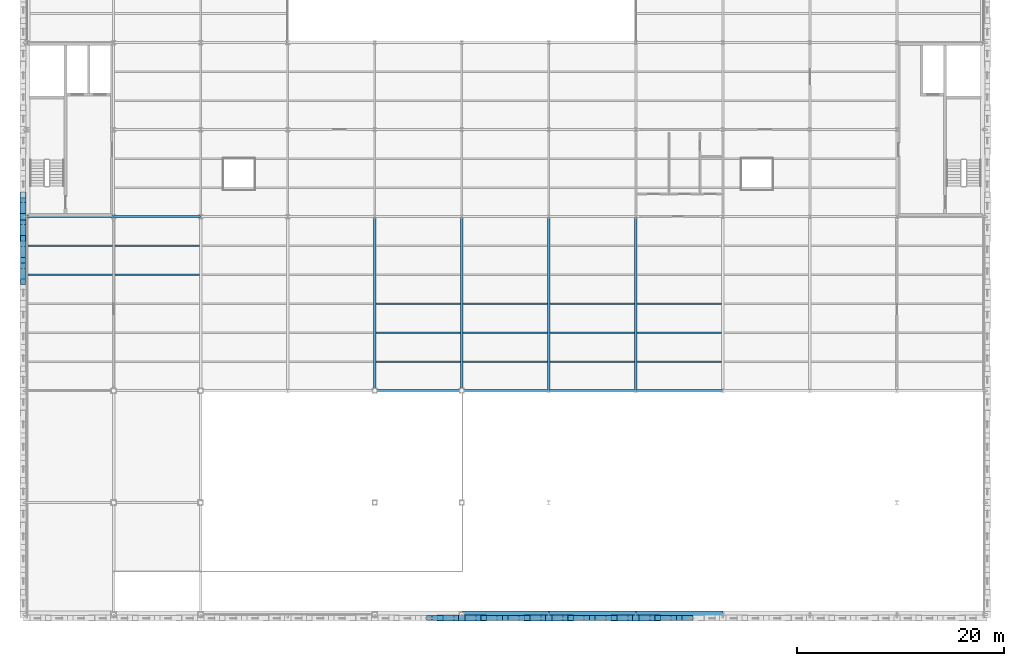
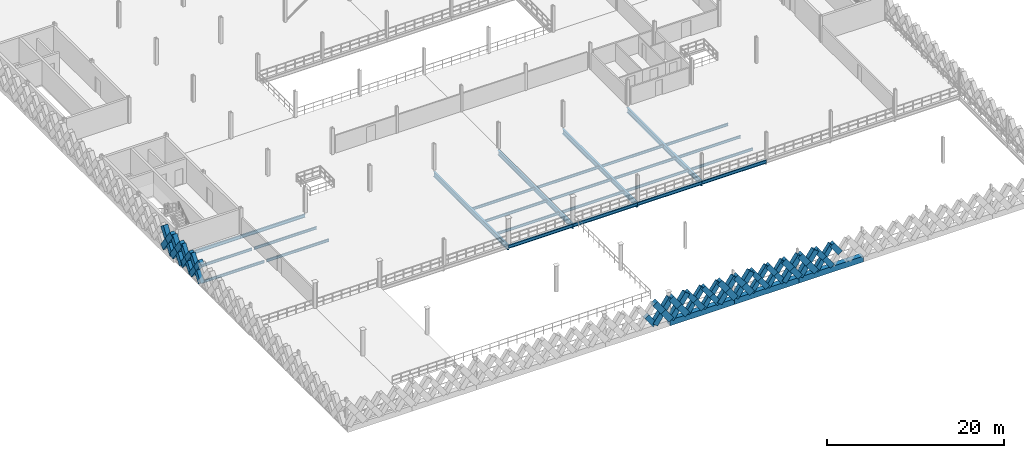
# One storey, part 15 of 47: 47 members, 29 beams.
"""IFC4 building model written with IfcOpenShell, lengths in metres."""

from ifc_helpers import new_model, si_unit, direction, frame, origin, origin_2d, place, context, subcontext, project, spatial, rectangle, i_section, extrude, material, material_profile, profile_set, type_object, element, save


model = new_model("IFC4")

# Units and contexts
model_context = context("Model", 3, precision=1e-05, world=origin(), true_north=direction((0.0, 1.0)))
body_context = subcontext(model_context, "Body", "Model", "MODEL_VIEW")
ifc_project = project(units=[si_unit("LENGTHUNIT", "METRE"), si_unit("AREAUNIT", "SQUARE_METRE"), si_unit("VOLUMEUNIT", "CUBIC_METRE"), si_unit("PLANEANGLEUNIT", "RADIAN"), si_unit("MASSUNIT", "GRAM", prefix="KILO"), si_unit("THERMODYNAMICTEMPERATUREUNIT", "KELVIN"), si_unit("POWERUNIT", "WATT")], contexts=[model_context])

# Site, building, storey
site_placement = place(None, origin())
site = spatial("IfcSite", under=ifc_project, at=site_placement, CompositionType="ELEMENT")
building_placement = place(site_placement, origin())
building = spatial("IfcBuilding", under=site, at=building_placement, Name="Tembeka Court Mobility Hub", CompositionType="ELEMENT")
storey_placement = place(building_placement, frame((0.0, 0.0, 19.800048828125)))
storey = spatial("IfcBuildingStorey", under=building, at=storey_placement, Name="L05", CompositionType="ELEMENT", Elevation=19.800048828125)

# Beams
ifc_material_1 = material(Name="Steel S355", Category="steel")
ifc_material_profile_1 = material_profile(ifc_material_1, i_section(OverallWidth=0.18994140625, OverallDepth=0.45703125, WebThickness=0.009033203125, FlangeThickness=0.014404296875, FilletRadius=0.01025390625, at=origin_2d()), Name="UKB 457x191x74")
ifc_profile_set_1 = profile_set([ifc_material_profile_1], Name="Steel S355")
beam_type_1 = type_object("IfcBeamType", Name="BM-B01", PredefinedType="BEAM", material=ifc_profile_set_1)
for number, where, z_axis, x_axis, name in (
    (1, (33.60009765625, 21.60009765625, -0.448486328125), (1.0, 0.0, 0.0), (0.0, 1.0, 0.0), "Beam B01 (BM-L05-X2681)"),
    (2, (42.0, 21.60009765625, -0.448486328125), (1.0, 0.0, 0.0), (0.0, 1.0, 0.0), "Beam B01 (BM-L05-X2682)"),
):
    element("IfcBeam", number, at=place(storey_placement, frame(where, z_axis=z_axis, x_axis=x_axis)), inside=storey, type_object=beam_type_1, Name=name, PredefinedType="BEAM", context=body_context, shape_type="SweptSolid", body=[
        extrude(i_section(OverallWidth=0.18994140625, OverallDepth=0.45703125, WebThickness=0.009033203125, FlangeThickness=0.014404296875, FilletRadius=0.01025390625, at=origin_2d()), origin(), (0.0, 0.0, 1.0), 8.39990234375),
    ])
beam_1_placement = place(storey_placement, frame((50.39990234375, 21.60009765625, -0.448486328125), z_axis=(1.0, 0.0, 0.0), x_axis=(0.0, 1.0, 0.0)))
element("IfcBeam", 3, at=beam_1_placement, inside=storey, type_object=beam_type_1, Name="Beam B01 (BM-L05-X2683)", PredefinedType="BEAM", context=body_context, shape_type="SweptSolid", body=[
    extrude(i_section(OverallWidth=0.18994140625, OverallDepth=0.45703125, WebThickness=0.009033203125, FlangeThickness=0.014404296875, FilletRadius=0.01025390625, at=origin_2d()), origin(), (0.0, 0.0, 1.0), 8.400146484375),
])
for number, where, z_axis, x_axis, name in (
    (4, (58.800048828125, 21.60009765625, -0.448486328125), (1.0, 0.0, 0.0), (0.0, 1.0, 0.0), "Beam B01 (BM-L05-X2684)"),
    (5, (0.0, 38.39990234375, -0.448486328125), (1.0, 0.0, 0.0), (0.0, 1.0, 0.0), "Beam B01 (BM-L05-X2691)"),
):
    element("IfcBeam", number, at=place(storey_placement, frame(where, z_axis=z_axis, x_axis=x_axis)), inside=storey, type_object=beam_type_1, Name=name, PredefinedType="BEAM", context=body_context, shape_type="SweptSolid", body=[
        extrude(i_section(OverallWidth=0.18994140625, OverallDepth=0.45703125, WebThickness=0.009033203125, FlangeThickness=0.014404296875, FilletRadius=0.01025390625, at=origin_2d()), origin(), (0.0, 0.0, 1.0), 8.39990234375),
    ])
beam_2_placement = place(storey_placement, frame((8.39990234375, 38.39990234375, -0.448486328125), z_axis=(1.0, 0.0, 0.0), x_axis=(0.0, 1.0, 0.0)))
element("IfcBeam", 6, at=beam_2_placement, inside=storey, type_object=beam_type_1, Name="Beam B01 (BM-L05-X2692)", PredefinedType="BEAM", context=body_context, shape_type="SweptSolid", body=[
    extrude(i_section(OverallWidth=0.18994140625, OverallDepth=0.45703125, WebThickness=0.009033203125, FlangeThickness=0.014404296875, FilletRadius=0.01025390625, at=origin_2d()), origin(), (0.0, 0.0, 1.0), 8.400146484375),
])
ifc_material_profile_2 = material_profile(ifc_material_1, i_section(OverallWidth=0.25390625, OverallDepth=0.68408203125, WebThickness=0.012451171875, FlangeThickness=0.01904296875, FilletRadius=0.01513671875, at=origin_2d()), Name="UKB 686x254x140")
ifc_profile_set_2 = profile_set([ifc_material_profile_2], Name="Steel S355")
beam_type_2 = type_object("IfcBeamType", Name="BM-G01", PredefinedType="USERDEFINED", material=ifc_profile_set_2)
for number, where, z_axis, x_axis, name in (
    (7, (33.60009765625, 21.60009765625, -0.56201171875), (0.0, 1.0, 0.0), (-1.0, 0.0, 0.0), "Beam G01 (BM-L05-Y2816)"),
    (8, (42.0, 21.60009765625, -0.56201171875), (0.0, 1.0, 0.0), (-1.0, 0.0, 0.0), "Beam G01 (BM-L05-Y2822)"),
    (9, (50.39990234375, 21.60009765625, -0.56201171875), (0.0, 1.0, 0.0), (-1.0, 0.0, 0.0), "Beam G01 (BM-L05-Y2828)"),
    (10, (58.800048828125, 21.60009765625, -0.56201171875), (0.0, 1.0, 0.0), (-1.0, 0.0, 0.0), "Beam G01 (BM-L05-Y2834)"),
):
    element("IfcBeam", number, at=place(storey_placement, frame(where, z_axis=z_axis, x_axis=x_axis)), inside=storey, type_object=beam_type_2, Name=name, ObjectType="GIRDER", PredefinedType="USERDEFINED", context=body_context, shape_type="SweptSolid", body=[
        extrude(i_section(OverallWidth=0.25390625, OverallDepth=0.68408203125, WebThickness=0.012451171875, FlangeThickness=0.01904296875, FilletRadius=0.01513671875, at=origin_2d()), origin(), (0.0, 0.0, 1.0), 16.7998046875),
    ])
ifc_material_profile_3 = material_profile(ifc_material_1, i_section(OverallWidth=0.172119140625, OverallDepth=0.35498046875, WebThickness=0.00732421875, FlangeThickness=0.011474609375, FilletRadius=0.01025390625, at=origin_2d()), Name="UKB 356x171x51")
ifc_profile_set_3 = profile_set([ifc_material_profile_3], Name="Steel S355")
beam_type_3 = type_object("IfcBeamType", Name="BM-J01", PredefinedType="JOIST", material=ifc_profile_set_3)
for number, where, z_axis, x_axis, name in (
    (11, (0.1220703125, 32.800048828125, -0.3974609375), (1.0, 0.0, 0.0), (0.0, 1.0, 0.0), "Beam J01 (JST-L05-2884)"),
    (12, (0.1220703125, 35.60009765625, -0.3974609375), (1.0, 0.0, 0.0), (0.0, 1.0, 0.0), "Beam J01 (JST-L05-2885)"),
    (13, (8.52197265625, 32.800048828125, -0.3974609375), (1.0, 0.0, 0.0), (0.0, 1.0, 0.0), "Beam J01 (JST-L05-2896)"),
    (14, (8.52197265625, 35.60009765625, -0.3974609375), (1.0, 0.0, 0.0), (0.0, 1.0, 0.0), "Beam J01 (JST-L05-2897)"),
    (15, (33.721923828125, 24.39990234375, -0.3974609375), (1.0, 0.0, 0.0), (0.0, 1.0, 0.0), "Beam J01 (JST-L05-2951)"),
    (16, (33.721923828125, 27.199951171875, -0.3974609375), (1.0, 0.0, 0.0), (0.0, 1.0, 0.0), "Beam J01 (JST-L05-2952)"),
    (17, (33.721923828125, 30.0, -0.3974609375), (1.0, 0.0, 0.0), (0.0, 1.0, 0.0), "Beam J01 (JST-L05-2953)"),
    (18, (42.1220703125, 24.39990234375, -0.3974609375), (1.0, 0.0, 0.0), (0.0, 1.0, 0.0), "Beam J01 (JST-L05-2969)"),
    (19, (42.1220703125, 27.199951171875, -0.3974609375), (1.0, 0.0, 0.0), (0.0, 1.0, 0.0), "Beam J01 (JST-L05-2970)"),
    (20, (42.1220703125, 30.0, -0.3974609375), (1.0, 0.0, 0.0), (0.0, 1.0, 0.0), "Beam J01 (JST-L05-2971)"),
    (21, (50.52197265625, 24.39990234375, -0.3974609375), (1.0, 0.0, 0.0), (0.0, 1.0, 0.0), "Beam J01 (JST-L05-2987)"),
    (22, (50.52197265625, 27.199951171875, -0.3974609375), (1.0, 0.0, 0.0), (0.0, 1.0, 0.0), "Beam J01 (JST-L05-2988)"),
    (23, (50.52197265625, 30.0, -0.3974609375), (1.0, 0.0, 0.0), (0.0, 1.0, 0.0), "Beam J01 (JST-L05-2989)"),
):
    element("IfcBeam", number, at=place(storey_placement, frame(where, z_axis=z_axis, x_axis=x_axis)), inside=storey, type_object=beam_type_3, Name=name, PredefinedType="JOIST", context=body_context, shape_type="SweptSolid", body=[
        extrude(i_section(OverallWidth=0.172119140625, OverallDepth=0.35498046875, WebThickness=0.00732421875, FlangeThickness=0.011474609375, FilletRadius=0.01025390625, at=origin_2d()), origin(), (0.0, 0.0, 1.0), 8.156005859375),
    ])
for number, where, z_axis, x_axis, name in (
    (24, (58.922119140625, 24.39990234375, -0.3974609375), (1.0, 0.0, 0.0), (0.0, 1.0, 0.0), "Beam J01 (JST-L05-3005)"),
    (25, (58.922119140625, 27.199951171875, -0.3974609375), (1.0, 0.0, 0.0), (0.0, 1.0, 0.0), "Beam J01 (JST-L05-3006)"),
    (26, (58.922119140625, 30.0, -0.3974609375), (1.0, 0.0, 0.0), (0.0, 1.0, 0.0), "Beam J01 (JST-L05-3007)"),
):
    element("IfcBeam", number, at=place(storey_placement, frame(where, z_axis=z_axis, x_axis=x_axis)), inside=storey, type_object=beam_type_3, Name=name, PredefinedType="JOIST", context=body_context, shape_type="SweptSolid", body=[
        extrude(i_section(OverallWidth=0.172119140625, OverallDepth=0.35498046875, WebThickness=0.00732421875, FlangeThickness=0.011474609375, FilletRadius=0.01025390625, at=origin_2d()), origin(), (0.0, 0.0, 1.0), 8.15576171875),
    ])
ifc_material_2 = material(Name="Precast concrete C45/55", Category="concrete")
ifc_material_profile_4 = material_profile(ifc_material_2, rectangle(XDim=0.64990234375, YDim=0.800048828125, at=origin_2d()), Name="PC-SP 650x800")
ifc_profile_set_4 = profile_set([ifc_material_profile_4], Name="Precast concrete C45/55")
beam_type_4 = type_object("IfcBeamType", Name="BM-SP01", PredefinedType="SPANDREL", material=ifc_profile_set_4)
beam_3_placement = place(storey_placement, frame((42.0, 0.0, -0.6201171875), z_axis=(1.0, 0.0, 0.0), x_axis=(0.0, 1.0, 0.0)))
element("IfcBeam", 27, at=beam_3_placement, inside=storey, type_object=beam_type_4, Name="Beam SP01 (BM-L05-X2663)", PredefinedType="SPANDREL", context=body_context, shape_type="SweptSolid", body=[
    extrude(rectangle(XDim=0.64990234375, YDim=0.800048828125, at=origin_2d()), origin(), (0.0, 0.0, 1.0), 8.39990234375),
])
beam_4_placement = place(storey_placement, frame((50.39990234375, 0.0, -0.6201171875), z_axis=(1.0, 0.0, 0.0), x_axis=(0.0, 1.0, 0.0)))
element("IfcBeam", 28, at=beam_4_placement, inside=storey, type_object=beam_type_4, Name="Beam SP01 (BM-L05-X2664)", PredefinedType="SPANDREL", context=body_context, shape_type="SweptSolid", body=[
    extrude(rectangle(XDim=0.64990234375, YDim=0.800048828125, at=origin_2d()), origin(), (0.0, 0.0, 1.0), 8.400146484375),
])
beam_5_placement = place(storey_placement, frame((58.800048828125, 0.0, -0.6201171875), z_axis=(1.0, 0.0, 0.0), x_axis=(0.0, 1.0, 0.0)))
element("IfcBeam", 29, at=beam_5_placement, inside=storey, type_object=beam_type_4, Name="Beam SP01 (BM-L05-X2665)", PredefinedType="SPANDREL", context=body_context, shape_type="SweptSolid", body=[
    extrude(rectangle(XDim=0.64990234375, YDim=0.800048828125, at=origin_2d()), origin(), (0.0, 0.0, 1.0), 8.39990234375),
])

# Members
ifc_material_profile_5 = material_profile(ifc_material_2, rectangle(XDim=0.5, YDim=0.64990234375, at=origin_2d()), Name="PC-DIAG 500x650")
ifc_profile_set_5 = profile_set([ifc_material_profile_5], Name="Precast concrete C45/55")
member_type_1 = type_object("IfcMemberType", Name="MEM-DL01", PredefinedType="BRACE", material=ifc_profile_set_5)
member_1_placement = place(storey_placement, frame((39.89990234375, -0.340087890625, 0.02001953125), z_axis=(-0.582518941428, 0.0, 0.812817127574), x_axis=(0.0, -1.0, 0.0)))
element("IfcMember", 30, at=member_1_placement, inside=storey, type_object=member_type_1, Name="Precast diamond lattice split lower strand DL01 (L05-807B1)", PredefinedType="BRACE", context=body_context, shape_type="SweptSolid", body=[
    extrude(rectangle(XDim=0.5, YDim=0.64990234375, at=origin_2d()), origin(), (0.0, 0.0, 1.0), 1.80224609375),
])
member_2_placement = place(storey_placement, frame((44.10009765625, -0.340087890625, 0.02001953125), z_axis=(0.58253161945, 0.0, 0.812808041509), x_axis=(0.0, 1.0, 0.0)))
element("IfcMember", 31, at=member_2_placement, inside=storey, type_object=member_type_1, Name="Precast diamond lattice continuous strand DL01 (L05-810A)", PredefinedType="BRACE", context=body_context, shape_type="SweptSolid", body=[
    extrude(rectangle(XDim=0.5, YDim=0.64990234375, at=origin_2d()), origin(), (0.0, 0.0, 1.0), 3.604736328125),
])
member_3_placement = place(storey_placement, frame((46.199951171875, -0.340087890625, 0.02001953125), z_axis=(-0.582608431711, 0.0, 0.812752985414), x_axis=(0.0, -1.0, 0.0)))
element("IfcMember", 32, at=member_3_placement, inside=storey, type_object=member_type_1, Name="Precast diamond lattice split lower strand DL01 (L05-810B1)", PredefinedType="BRACE", context=body_context, shape_type="SweptSolid", body=[
    extrude(rectangle(XDim=0.5, YDim=0.64990234375, at=origin_2d()), origin(), (0.0, 0.0, 1.0), 1.80224609375),
])
member_4_placement = place(storey_placement, frame((45.14990234375, -0.340087890625, 1.48486328125), z_axis=(-0.582454804382, 0.0, 0.812863088627), x_axis=(0.0, -1.0, 0.0)))
element("IfcMember", 33, at=member_4_placement, inside=storey, type_object=member_type_1, Name="Precast diamond lattice split upper strand DL01 (L05-810B2)", PredefinedType="BRACE", context=body_context, shape_type="SweptSolid", body=[
    extrude(rectangle(XDim=0.5, YDim=0.64990234375, at=origin_2d()), origin(), (0.0, 0.0, 1.0), 1.802490234375),
])
member_5_placement = place(storey_placement, frame((46.199951171875, -0.340087890625, 0.02001953125), z_axis=(0.582576362011, 0.0, 0.812775973086), x_axis=(0.0, 1.0, 0.0)))
element("IfcMember", 34, at=member_5_placement, inside=storey, type_object=member_type_1, Name="Precast diamond lattice continuous strand DL01 (L05-811A)", PredefinedType="BRACE", context=body_context, shape_type="SweptSolid", body=[
    extrude(rectangle(XDim=0.5, YDim=0.64990234375, at=origin_2d()), origin(), (0.0, 0.0, 1.0), 3.604736328125),
])
member_6_placement = place(storey_placement, frame((48.300048828125, -0.340087890625, 0.02001953125), z_axis=(-0.582608431711, 0.0, 0.812752985414), x_axis=(0.0, -1.0, 0.0)))
element("IfcMember", 35, at=member_6_placement, inside=storey, type_object=member_type_1, Name="Precast diamond lattice split lower strand DL01 (L05-811B1)", PredefinedType="BRACE", context=body_context, shape_type="SweptSolid", body=[
    extrude(rectangle(XDim=0.5, YDim=0.64990234375, at=origin_2d()), origin(), (0.0, 0.0, 1.0), 1.80224609375),
])
member_7_placement = place(storey_placement, frame((47.25, -0.340087890625, 1.48486328125), z_axis=(-0.582544294934, 0.0, 0.812798956963), x_axis=(0.0, -1.0, 0.0)))
element("IfcMember", 36, at=member_7_placement, inside=storey, type_object=member_type_1, Name="Precast diamond lattice split upper strand DL01 (L05-811B2)", PredefinedType="BRACE", context=body_context, shape_type="SweptSolid", body=[
    extrude(rectangle(XDim=0.5, YDim=0.64990234375, at=origin_2d()), origin(), (0.0, 0.0, 1.0), 1.802490234375),
])
member_8_placement = place(storey_placement, frame((52.5, -0.340087890625, 0.02001953125), z_axis=(0.582576362011, 0.0, 0.812775973086), x_axis=(0.0, 1.0, 0.0)))
element("IfcMember", 37, at=member_8_placement, inside=storey, type_object=member_type_1, Name="Precast diamond lattice continuous strand DL01 (L05-814A)", PredefinedType="BRACE", context=body_context, shape_type="SweptSolid", body=[
    extrude(rectangle(XDim=0.5, YDim=0.64990234375, at=origin_2d()), origin(), (0.0, 0.0, 1.0), 3.604736328125),
])
member_9_placement = place(storey_placement, frame((54.60009765625, -0.340087890625, 0.02001953125), z_axis=(-0.582608431711, 0.0, 0.812752985414), x_axis=(0.0, -1.0, 0.0)))
element("IfcMember", 38, at=member_9_placement, inside=storey, type_object=member_type_1, Name="Precast diamond lattice split lower strand DL01 (L05-814B1)", PredefinedType="BRACE", context=body_context, shape_type="SweptSolid", body=[
    extrude(rectangle(XDim=0.5, YDim=0.64990234375, at=origin_2d()), origin(), (0.0, 0.0, 1.0), 1.80224609375),
])
member_10_placement = place(storey_placement, frame((53.550048828125, -0.340087890625, 1.48486328125), z_axis=(-0.582544294934, 0.0, 0.812798956963), x_axis=(0.0, -1.0, 0.0)))
element("IfcMember", 39, at=member_10_placement, inside=storey, type_object=member_type_1, Name="Precast diamond lattice split upper strand DL01 (L05-814B2)", PredefinedType="BRACE", context=body_context, shape_type="SweptSolid", body=[
    extrude(rectangle(XDim=0.5, YDim=0.64990234375, at=origin_2d()), origin(), (0.0, 0.0, 1.0), 1.802490234375),
])
member_11_placement = place(storey_placement, frame((54.60009765625, -0.340087890625, 0.02001953125), z_axis=(0.58253161945, 0.0, 0.812808041509), x_axis=(0.0, 1.0, 0.0)))
element("IfcMember", 40, at=member_11_placement, inside=storey, type_object=member_type_1, Name="Precast diamond lattice continuous strand DL01 (L05-815A)", PredefinedType="BRACE", context=body_context, shape_type="SweptSolid", body=[
    extrude(rectangle(XDim=0.5, YDim=0.64990234375, at=origin_2d()), origin(), (0.0, 0.0, 1.0), 3.604736328125),
])
member_12_placement = place(storey_placement, frame((56.699951171875, -0.340087890625, 0.02001953125), z_axis=(-0.582608431711, 0.0, 0.812752985414), x_axis=(0.0, -1.0, 0.0)))
element("IfcMember", 41, at=member_12_placement, inside=storey, type_object=member_type_1, Name="Precast diamond lattice split lower strand DL01 (L05-815B1)", PredefinedType="BRACE", context=body_context, shape_type="SweptSolid", body=[
    extrude(rectangle(XDim=0.5, YDim=0.64990234375, at=origin_2d()), origin(), (0.0, 0.0, 1.0), 1.80224609375),
])
member_13_placement = place(storey_placement, frame((55.64990234375, -0.340087890625, 1.48486328125), z_axis=(-0.582454804382, 0.0, 0.812863088627), x_axis=(0.0, -1.0, 0.0)))
element("IfcMember", 42, at=member_13_placement, inside=storey, type_object=member_type_1, Name="Precast diamond lattice split upper strand DL01 (L05-815B2)", PredefinedType="BRACE", context=body_context, shape_type="SweptSolid", body=[
    extrude(rectangle(XDim=0.5, YDim=0.64990234375, at=origin_2d()), origin(), (0.0, 0.0, 1.0), 1.802490234375),
])
member_14_placement = place(storey_placement, frame((60.89990234375, -0.340087890625, 0.02001953125), z_axis=(0.582576362011, 0.0, 0.812775973086), x_axis=(0.0, 1.0, 0.0)))
element("IfcMember", 43, at=member_14_placement, inside=storey, type_object=member_type_1, Name="Precast diamond lattice continuous strand DL01 (L05-818A)", PredefinedType="BRACE", context=body_context, shape_type="SweptSolid", body=[
    extrude(rectangle(XDim=0.5, YDim=0.64990234375, at=origin_2d()), origin(), (0.0, 0.0, 1.0), 3.604736328125),
])
member_15_placement = place(storey_placement, frame((63.0, -0.340087890625, 0.02001953125), z_axis=(-0.582608431711, 0.0, 0.812752985414), x_axis=(0.0, -1.0, 0.0)))
element("IfcMember", 44, at=member_15_placement, inside=storey, type_object=member_type_1, Name="Precast diamond lattice split lower strand DL01 (L05-818B1)", PredefinedType="BRACE", context=body_context, shape_type="SweptSolid", body=[
    extrude(rectangle(XDim=0.5, YDim=0.64990234375, at=origin_2d()), origin(), (0.0, 0.0, 1.0), 1.80224609375),
])
for number, where, z_axis, x_axis, name in (
    (45, (61.949951171875, -0.340087890625, 1.48486328125), (-0.582544294934, 0.0, 0.812798956963), (0.0, -1.0, 0.0), "Precast diamond lattice split upper strand DL01 (L05-818B2)"),
    (46, (64.050048828125, -0.340087890625, 1.48486328125), (-0.582544294934, 0.0, 0.812798956963), (0.0, -1.0, 0.0), "Precast diamond lattice split upper strand DL01 (L05-819B2)"),
):
    element("IfcMember", number, at=place(storey_placement, frame(where, z_axis=z_axis, x_axis=x_axis)), inside=storey, type_object=member_type_1, Name=name, PredefinedType="BRACE", context=body_context, shape_type="SweptSolid", body=[
        extrude(rectangle(XDim=0.5, YDim=0.64990234375, at=origin_2d()), origin(), (0.0, 0.0, 1.0), 1.802490234375),
    ])
member_16_placement = place(storey_placement, frame((-0.340087890625, 32.10009765625, 0.02001953125), z_axis=(0.0, 0.58253161945, 0.812808041509), x_axis=(-1.0, 0.0, 0.0)))
element("IfcMember", 47, at=member_16_placement, inside=storey, type_object=member_type_1, Name="Precast diamond lattice continuous strand DL01 (L05-892C)", PredefinedType="BRACE", context=body_context, shape_type="SweptSolid", body=[
    extrude(rectangle(XDim=0.5, YDim=0.64990234375, at=origin_2d()), origin(), (0.0, 0.0, 1.0), 3.604736328125),
])
member_17_placement = place(storey_placement, frame((-0.340087890625, 34.199951171875, 0.02001953125), z_axis=(0.0, -0.582608431711, 0.812752985414), x_axis=(1.0, 0.0, 0.0)))
element("IfcMember", 48, at=member_17_placement, inside=storey, type_object=member_type_1, Name="Precast diamond lattice split lower strand DL01 (L05-892D1)", PredefinedType="BRACE", context=body_context, shape_type="SweptSolid", body=[
    extrude(rectangle(XDim=0.5, YDim=0.64990234375, at=origin_2d()), origin(), (0.0, 0.0, 1.0), 1.80224609375),
])
member_18_placement = place(storey_placement, frame((-0.340087890625, 33.14990234375, 1.48486328125), z_axis=(0.0, -0.582454804382, 0.812863088627), x_axis=(1.0, 0.0, 0.0)))
element("IfcMember", 49, at=member_18_placement, inside=storey, type_object=member_type_1, Name="Precast diamond lattice split upper strand DL01 (L05-892D2)", PredefinedType="BRACE", context=body_context, shape_type="SweptSolid", body=[
    extrude(rectangle(XDim=0.5, YDim=0.64990234375, at=origin_2d()), origin(), (0.0, 0.0, 1.0), 1.802490234375),
])
member_19_placement = place(storey_placement, frame((-0.340087890625, 34.199951171875, 0.02001953125), z_axis=(0.0, 0.582576362011, 0.812775973086), x_axis=(-1.0, 0.0, 0.0)))
element("IfcMember", 50, at=member_19_placement, inside=storey, type_object=member_type_1, Name="Precast diamond lattice continuous strand DL01 (L05-893C)", PredefinedType="BRACE", context=body_context, shape_type="SweptSolid", body=[
    extrude(rectangle(XDim=0.5, YDim=0.64990234375, at=origin_2d()), origin(), (0.0, 0.0, 1.0), 3.604736328125),
])
member_20_placement = place(storey_placement, frame((-0.340087890625, 36.300048828125, 0.02001953125), z_axis=(0.0, -0.582608431711, 0.812752985414), x_axis=(1.0, 0.0, 0.0)))
element("IfcMember", 51, at=member_20_placement, inside=storey, type_object=member_type_1, Name="Precast diamond lattice split lower strand DL01 (L05-893D1)", PredefinedType="BRACE", context=body_context, shape_type="SweptSolid", body=[
    extrude(rectangle(XDim=0.5, YDim=0.64990234375, at=origin_2d()), origin(), (0.0, 0.0, 1.0), 1.80224609375),
])
member_21_placement = place(storey_placement, frame((-0.340087890625, 35.25, 1.48486328125), z_axis=(0.0, -0.582544294934, 0.812798956963), x_axis=(1.0, 0.0, 0.0)))
element("IfcMember", 52, at=member_21_placement, inside=storey, type_object=member_type_1, Name="Precast diamond lattice split upper strand DL01 (L05-893D2)", PredefinedType="BRACE", context=body_context, shape_type="SweptSolid", body=[
    extrude(rectangle(XDim=0.5, YDim=0.64990234375, at=origin_2d()), origin(), (0.0, 0.0, 1.0), 1.802490234375),
])
ifc_material_profile_6 = material_profile(ifc_material_2, rectangle(XDim=0.60009765625, YDim=0.75, at=origin_2d()), Name="PC-DIAG 600x750")
ifc_profile_set_6 = profile_set([ifc_material_profile_6], Name="Precast concrete C45/55")
member_type_2 = type_object("IfcMemberType", Name="MEM-DL02", PredefinedType="BRACE", material=ifc_profile_set_6)
member_22_placement = place(storey_placement, frame((39.89990234375, -0.340087890625, 0.02001953125), z_axis=(0.582576362011, 0.0, 0.812775973086), x_axis=(0.0, 1.0, 0.0)))
element("IfcMember", 53, at=member_22_placement, inside=storey, type_object=member_type_2, Name="Precast diamond lattice continuous strand DL02 (L05-808A)", PredefinedType="BRACE", context=body_context, shape_type="SweptSolid", body=[
    extrude(rectangle(XDim=0.60009765625, YDim=0.75, at=origin_2d()), origin(), (0.0, 0.0, 1.0), 3.604736328125),
])
member_23_placement = place(storey_placement, frame((42.0, -0.340087890625, 0.02001953125), z_axis=(-0.582608431711, 0.0, 0.812752985414), x_axis=(0.0, -1.0, 0.0)))
element("IfcMember", 54, at=member_23_placement, inside=storey, type_object=member_type_2, Name="Precast diamond lattice split lower strand DL02 (L05-808B1)", PredefinedType="BRACE", context=body_context, shape_type="SweptSolid", body=[
    extrude(rectangle(XDim=0.60009765625, YDim=0.75, at=origin_2d()), origin(), (0.0, 0.0, 1.0), 1.80224609375),
])
member_24_placement = place(storey_placement, frame((40.949951171875, -0.340087890625, 1.48486328125), z_axis=(-0.582544294934, 0.0, 0.812798956963), x_axis=(0.0, -1.0, 0.0)))
element("IfcMember", 55, at=member_24_placement, inside=storey, type_object=member_type_2, Name="Precast diamond lattice split upper strand DL02 (L05-808B2)", PredefinedType="BRACE", context=body_context, shape_type="SweptSolid", body=[
    extrude(rectangle(XDim=0.60009765625, YDim=0.75, at=origin_2d()), origin(), (0.0, 0.0, 1.0), 1.802490234375),
])
member_25_placement = place(storey_placement, frame((42.0, -0.340087890625, 0.02001953125), z_axis=(0.582576362011, 0.0, 0.812775973086), x_axis=(0.0, 1.0, 0.0)))
element("IfcMember", 56, at=member_25_placement, inside=storey, type_object=member_type_2, Name="Precast diamond lattice continuous strand DL02 (L05-809A)", PredefinedType="BRACE", context=body_context, shape_type="SweptSolid", body=[
    extrude(rectangle(XDim=0.60009765625, YDim=0.75, at=origin_2d()), origin(), (0.0, 0.0, 1.0), 3.604736328125),
])
member_26_placement = place(storey_placement, frame((44.10009765625, -0.340087890625, 0.02001953125), z_axis=(-0.582608431711, 0.0, 0.812752985414), x_axis=(0.0, -1.0, 0.0)))
element("IfcMember", 57, at=member_26_placement, inside=storey, type_object=member_type_2, Name="Precast diamond lattice split lower strand DL02 (L05-809B1)", PredefinedType="BRACE", context=body_context, shape_type="SweptSolid", body=[
    extrude(rectangle(XDim=0.60009765625, YDim=0.75, at=origin_2d()), origin(), (0.0, 0.0, 1.0), 1.80224609375),
])
member_27_placement = place(storey_placement, frame((43.050048828125, -0.340087890625, 1.48486328125), z_axis=(-0.582544294934, 0.0, 0.812798956963), x_axis=(0.0, -1.0, 0.0)))
element("IfcMember", 58, at=member_27_placement, inside=storey, type_object=member_type_2, Name="Precast diamond lattice split upper strand DL02 (L05-809B2)", PredefinedType="BRACE", context=body_context, shape_type="SweptSolid", body=[
    extrude(rectangle(XDim=0.60009765625, YDim=0.75, at=origin_2d()), origin(), (0.0, 0.0, 1.0), 1.802490234375),
])
member_28_placement = place(storey_placement, frame((48.300048828125, -0.340087890625, 0.02001953125), z_axis=(0.58253161945, 0.0, 0.812808041509), x_axis=(0.0, 1.0, 0.0)))
element("IfcMember", 59, at=member_28_placement, inside=storey, type_object=member_type_2, Name="Precast diamond lattice continuous strand DL02 (L05-812A)", PredefinedType="BRACE", context=body_context, shape_type="SweptSolid", body=[
    extrude(rectangle(XDim=0.60009765625, YDim=0.75, at=origin_2d()), origin(), (0.0, 0.0, 1.0), 3.604736328125),
])
member_29_placement = place(storey_placement, frame((50.39990234375, -0.340087890625, 0.02001953125), z_axis=(-0.582518941428, 0.0, 0.812817127574), x_axis=(0.0, -1.0, 0.0)))
element("IfcMember", 60, at=member_29_placement, inside=storey, type_object=member_type_2, Name="Precast diamond lattice split lower strand DL02 (L05-812B1)", PredefinedType="BRACE", context=body_context, shape_type="SweptSolid", body=[
    extrude(rectangle(XDim=0.60009765625, YDim=0.75, at=origin_2d()), origin(), (0.0, 0.0, 1.0), 1.80224609375),
])
member_30_placement = place(storey_placement, frame((49.35009765625, -0.340087890625, 1.48486328125), z_axis=(-0.582544294934, 0.0, 0.812798956963), x_axis=(0.0, -1.0, 0.0)))
element("IfcMember", 61, at=member_30_placement, inside=storey, type_object=member_type_2, Name="Precast diamond lattice split upper strand DL02 (L05-812B2)", PredefinedType="BRACE", context=body_context, shape_type="SweptSolid", body=[
    extrude(rectangle(XDim=0.60009765625, YDim=0.75, at=origin_2d()), origin(), (0.0, 0.0, 1.0), 1.802490234375),
])
member_31_placement = place(storey_placement, frame((50.39990234375, -0.340087890625, 0.02001953125), z_axis=(0.582576362011, 0.0, 0.812775973086), x_axis=(0.0, 1.0, 0.0)))
element("IfcMember", 62, at=member_31_placement, inside=storey, type_object=member_type_2, Name="Precast diamond lattice continuous strand DL02 (L05-813A)", PredefinedType="BRACE", context=body_context, shape_type="SweptSolid", body=[
    extrude(rectangle(XDim=0.60009765625, YDim=0.75, at=origin_2d()), origin(), (0.0, 0.0, 1.0), 3.604736328125),
])
member_32_placement = place(storey_placement, frame((52.5, -0.340087890625, 0.02001953125), z_axis=(-0.582608431711, 0.0, 0.812752985414), x_axis=(0.0, -1.0, 0.0)))
element("IfcMember", 63, at=member_32_placement, inside=storey, type_object=member_type_2, Name="Precast diamond lattice split lower strand DL02 (L05-813B1)", PredefinedType="BRACE", context=body_context, shape_type="SweptSolid", body=[
    extrude(rectangle(XDim=0.60009765625, YDim=0.75, at=origin_2d()), origin(), (0.0, 0.0, 1.0), 1.80224609375),
])
member_33_placement = place(storey_placement, frame((51.449951171875, -0.340087890625, 1.48486328125), z_axis=(-0.582544294934, 0.0, 0.812798956963), x_axis=(0.0, -1.0, 0.0)))
element("IfcMember", 64, at=member_33_placement, inside=storey, type_object=member_type_2, Name="Precast diamond lattice split upper strand DL02 (L05-813B2)", PredefinedType="BRACE", context=body_context, shape_type="SweptSolid", body=[
    extrude(rectangle(XDim=0.60009765625, YDim=0.75, at=origin_2d()), origin(), (0.0, 0.0, 1.0), 1.802490234375),
])
member_34_placement = place(storey_placement, frame((56.699951171875, -0.340087890625, 0.02001953125), z_axis=(0.582576362011, 0.0, 0.812775973086), x_axis=(0.0, 1.0, 0.0)))
element("IfcMember", 65, at=member_34_placement, inside=storey, type_object=member_type_2, Name="Precast diamond lattice continuous strand DL02 (L05-816A)", PredefinedType="BRACE", context=body_context, shape_type="SweptSolid", body=[
    extrude(rectangle(XDim=0.60009765625, YDim=0.75, at=origin_2d()), origin(), (0.0, 0.0, 1.0), 3.604736328125),
])
member_35_placement = place(storey_placement, frame((58.800048828125, -0.340087890625, 0.02001953125), z_axis=(-0.582608431711, 0.0, 0.812752985414), x_axis=(0.0, -1.0, 0.0)))
element("IfcMember", 66, at=member_35_placement, inside=storey, type_object=member_type_2, Name="Precast diamond lattice split lower strand DL02 (L05-816B1)", PredefinedType="BRACE", context=body_context, shape_type="SweptSolid", body=[
    extrude(rectangle(XDim=0.60009765625, YDim=0.75, at=origin_2d()), origin(), (0.0, 0.0, 1.0), 1.80224609375),
])
member_36_placement = place(storey_placement, frame((57.75, -0.340087890625, 1.48486328125), z_axis=(-0.582544294934, 0.0, 0.812798956963), x_axis=(0.0, -1.0, 0.0)))
element("IfcMember", 67, at=member_36_placement, inside=storey, type_object=member_type_2, Name="Precast diamond lattice split upper strand DL02 (L05-816B2)", PredefinedType="BRACE", context=body_context, shape_type="SweptSolid", body=[
    extrude(rectangle(XDim=0.60009765625, YDim=0.75, at=origin_2d()), origin(), (0.0, 0.0, 1.0), 1.802490234375),
])
member_37_placement = place(storey_placement, frame((58.800048828125, -0.340087890625, 0.02001953125), z_axis=(0.58253161945, 0.0, 0.812808041509), x_axis=(0.0, 1.0, 0.0)))
element("IfcMember", 68, at=member_37_placement, inside=storey, type_object=member_type_2, Name="Precast diamond lattice continuous strand DL02 (L05-817A)", PredefinedType="BRACE", context=body_context, shape_type="SweptSolid", body=[
    extrude(rectangle(XDim=0.60009765625, YDim=0.75, at=origin_2d()), origin(), (0.0, 0.0, 1.0), 3.604736328125),
])
member_38_placement = place(storey_placement, frame((60.89990234375, -0.340087890625, 0.02001953125), z_axis=(-0.582518941428, 0.0, 0.812817127574), x_axis=(0.0, -1.0, 0.0)))
element("IfcMember", 69, at=member_38_placement, inside=storey, type_object=member_type_2, Name="Precast diamond lattice split lower strand DL02 (L05-817B1)", PredefinedType="BRACE", context=body_context, shape_type="SweptSolid", body=[
    extrude(rectangle(XDim=0.60009765625, YDim=0.75, at=origin_2d()), origin(), (0.0, 0.0, 1.0), 1.80224609375),
])
member_39_placement = place(storey_placement, frame((59.85009765625, -0.340087890625, 1.48486328125), z_axis=(-0.582544294934, 0.0, 0.812798956963), x_axis=(0.0, -1.0, 0.0)))
element("IfcMember", 70, at=member_39_placement, inside=storey, type_object=member_type_2, Name="Precast diamond lattice split upper strand DL02 (L05-817B2)", PredefinedType="BRACE", context=body_context, shape_type="SweptSolid", body=[
    extrude(rectangle(XDim=0.60009765625, YDim=0.75, at=origin_2d()), origin(), (0.0, 0.0, 1.0), 1.802490234375),
])
member_40_placement = place(storey_placement, frame((-0.340087890625, 36.300048828125, 0.02001953125), z_axis=(0.0, 0.58253161945, 0.812808041509), x_axis=(-1.0, 0.0, 0.0)))
element("IfcMember", 71, at=member_40_placement, inside=storey, type_object=member_type_2, Name="Precast diamond lattice continuous strand DL02 (L05-894C)", PredefinedType="BRACE", context=body_context, shape_type="SweptSolid", body=[
    extrude(rectangle(XDim=0.60009765625, YDim=0.75, at=origin_2d()), origin(), (0.0, 0.0, 1.0), 3.604736328125),
])
member_41_placement = place(storey_placement, frame((-0.340087890625, 38.39990234375, 0.02001953125), z_axis=(0.0, -0.582518941428, 0.812817127574), x_axis=(1.0, 0.0, 0.0)))
element("IfcMember", 72, at=member_41_placement, inside=storey, type_object=member_type_2, Name="Precast diamond lattice split lower strand DL02 (L05-894D1)", PredefinedType="BRACE", context=body_context, shape_type="SweptSolid", body=[
    extrude(rectangle(XDim=0.60009765625, YDim=0.75, at=origin_2d()), origin(), (0.0, 0.0, 1.0), 1.80224609375),
])
member_42_placement = place(storey_placement, frame((-0.340087890625, 37.35009765625, 1.48486328125), z_axis=(0.0, -0.582544294934, 0.812798956963), x_axis=(1.0, 0.0, 0.0)))
element("IfcMember", 73, at=member_42_placement, inside=storey, type_object=member_type_2, Name="Precast diamond lattice split upper strand DL02 (L05-894D2)", PredefinedType="BRACE", context=body_context, shape_type="SweptSolid", body=[
    extrude(rectangle(XDim=0.60009765625, YDim=0.75, at=origin_2d()), origin(), (0.0, 0.0, 1.0), 1.802490234375),
])
member_43_placement = place(storey_placement, frame((-0.340087890625, 38.39990234375, 0.02001953125), z_axis=(0.0, 0.582576362011, 0.812775973086), x_axis=(-1.0, 0.0, 0.0)))
element("IfcMember", 74, at=member_43_placement, inside=storey, type_object=member_type_2, Name="Precast diamond lattice continuous strand DL02 (L05-895C)", PredefinedType="BRACE", context=body_context, shape_type="SweptSolid", body=[
    extrude(rectangle(XDim=0.60009765625, YDim=0.75, at=origin_2d()), origin(), (0.0, 0.0, 1.0), 3.604736328125),
])
member_44_placement = place(storey_placement, frame((-0.340087890625, 40.5, 0.02001953125), z_axis=(0.0, -0.582608431711, 0.812752985414), x_axis=(1.0, 0.0, 0.0)))
element("IfcMember", 75, at=member_44_placement, inside=storey, type_object=member_type_2, Name="Precast diamond lattice split lower strand DL02 (L05-895D1)", PredefinedType="BRACE", context=body_context, shape_type="SweptSolid", body=[
    extrude(rectangle(XDim=0.60009765625, YDim=0.75, at=origin_2d()), origin(), (0.0, 0.0, 1.0), 1.80224609375),
])
member_45_placement = place(storey_placement, frame((-0.340087890625, 39.449951171875, 1.48486328125), z_axis=(0.0, -0.582544294934, 0.812798956963), x_axis=(1.0, 0.0, 0.0)))
element("IfcMember", 76, at=member_45_placement, inside=storey, type_object=member_type_2, Name="Precast diamond lattice split upper strand DL02 (L05-895D2)", PredefinedType="BRACE", context=body_context, shape_type="SweptSolid", body=[
    extrude(rectangle(XDim=0.60009765625, YDim=0.75, at=origin_2d()), origin(), (0.0, 0.0, 1.0), 1.802490234375),
])

save(model, "model.ifc")
